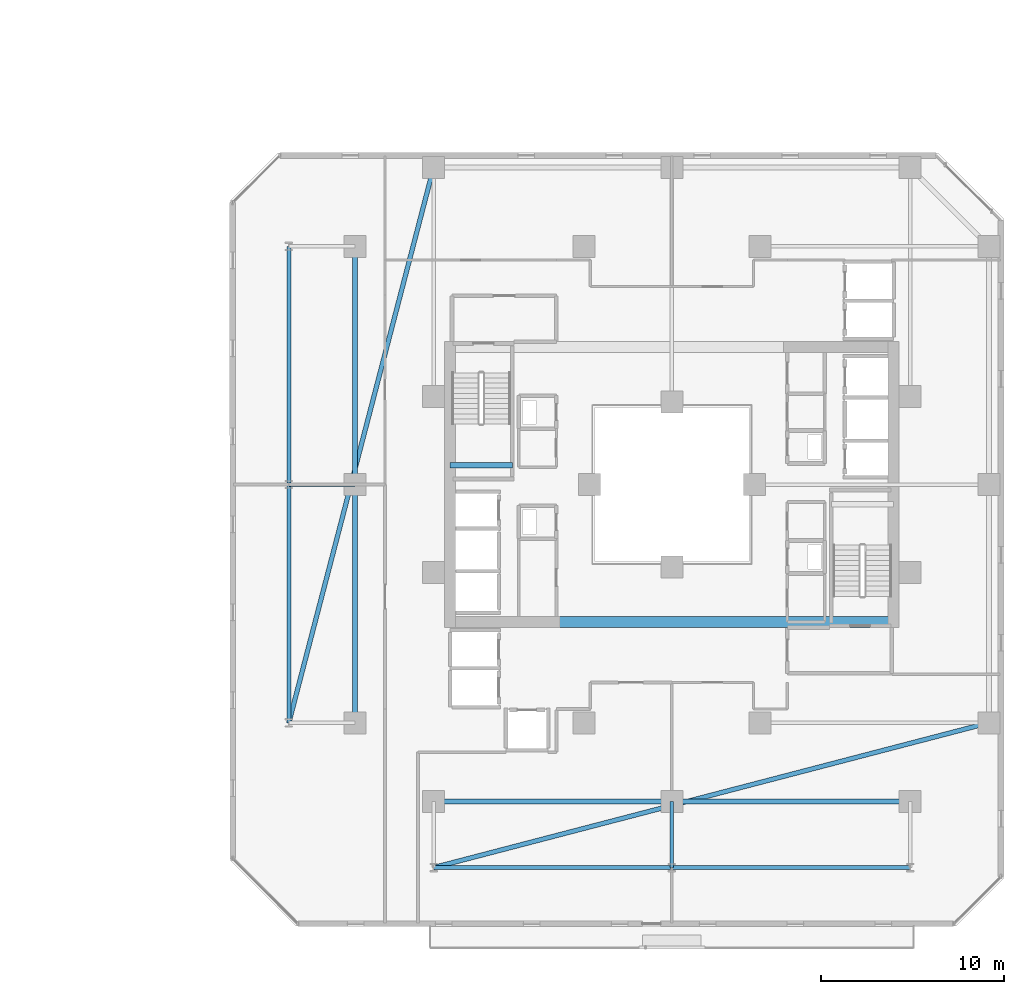
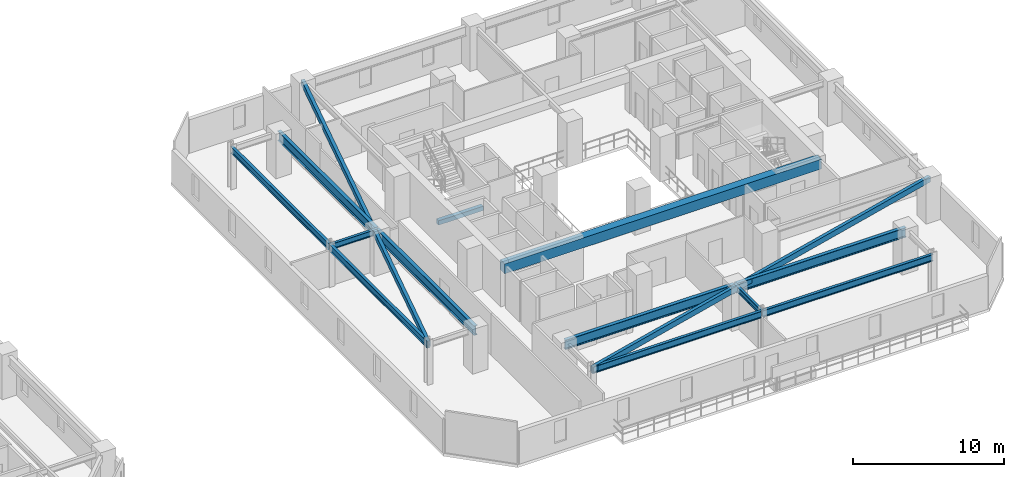
# One storey, part 12 of 33: 14 beams.
"""IFC4 building model written with IfcOpenShell, lengths in metres."""

from ifc_helpers import new_model, si_unit, direction, frame, origin, origin_2d, place, context, subcontext, project, spatial, rectangle, hollow_rectangle, i_section, extrude, material, material_profile, profile_set, type_object, element, save


model = new_model("IFC4")

# Units and contexts
model_context = context("Model", 3, precision=1e-05, world=origin(), true_north=direction((0.0, 1.0)))
body_context = subcontext(model_context, "Body", "Model", "MODEL_VIEW")
ifc_project = project(units=[si_unit("LENGTHUNIT", "METRE"), si_unit("AREAUNIT", "SQUARE_METRE"), si_unit("VOLUMEUNIT", "CUBIC_METRE"), si_unit("PLANEANGLEUNIT", "RADIAN"), si_unit("MASSUNIT", "GRAM", prefix="KILO")], contexts=[model_context])

# Site, building, storey
site_placement = place(None, origin())
site = spatial("IfcSite", under=ifc_project, at=site_placement, CompositionType="ELEMENT")
building_placement = place(site_placement, origin())
building = spatial("IfcBuilding", under=site, at=building_placement, Name="Thornwick Lancets Civic Towers", CompositionType="ELEMENT")
storey_placement = place(building_placement, frame((0.0, 0.0, 105.300048828125)))
storey = spatial("IfcBuildingStorey", under=building, at=storey_placement, Name="L27", CompositionType="ELEMENT", Elevation=105.300048828125)

# Beams
ifc_material_1 = material(Name="Concrete C60/75", Category="concrete")
ifc_material_profile_1 = material_profile(ifc_material_1, rectangle(XDim=0.60009765625, YDim=0.800048828125, at=origin_2d()), Name="RC 600x800")
ifc_profile_set_1 = profile_set([ifc_material_profile_1], Name="Concrete C60/75")
beam_type_1 = type_object("IfcBeamType", Name="BM_COUP_RC800", PredefinedType="BEAM", material=ifc_profile_set_1)
beam_1_placement = place(storey_placement, frame((76.39990234375, 19.5, 2.9599609375), z_axis=(1.0, 0.0, 0.0), x_axis=(0.0, 1.0, 0.0)))
element("IfcBeam", 1, at=beam_1_placement, inside=storey, type_object=beam_type_1, Name="CB-L27-B2", PredefinedType="BEAM", context=body_context, shape_type="SweptSolid", body=[
    extrude(rectangle(XDim=0.60009765625, YDim=0.800048828125, at=origin_2d()), origin(), (0.0, 0.0, 1.0), 24.2001953125),
])
ifc_material_2 = material(Name="Steel S355JR", Category="steel")
ifc_material_profile_2 = material_profile(ifc_material_2, i_section(OverallWidth=0.2119140625, OverallDepth=0.54443359375, WebThickness=0.0126953125, FlangeThickness=0.021240234375, FilletRadius=0.0126953125, at=origin_2d()), Name="UKB 533x210x122")
ifc_profile_set_2 = profile_set([ifc_material_profile_2], Name="Steel S355JR")
beam_type_2 = type_object("IfcBeamType", Name="BM_EDGE_533_122", PredefinedType="SPANDREL", material=ifc_profile_set_2)
beam_2_placement = place(storey_placement, frame((67.60009765625, 14.0, 3.087646484375), z_axis=(0.0, 1.0, 0.0), x_axis=(-1.0, 0.0, 0.0)))
element("IfcBeam", 2, at=beam_2_placement, inside=storey, type_object=beam_type_2, Name="BM-EDGE-L27-B-S2-1", PredefinedType="SPANDREL", context=body_context, shape_type="SweptSolid", body=[
    extrude(i_section(OverallWidth=0.2119140625, OverallDepth=0.54443359375, WebThickness=0.0126953125, FlangeThickness=0.021240234375, FilletRadius=0.0126953125, at=origin_2d()), origin(), (0.0, 0.0, 1.0), 13.0),
])
beam_3_placement = place(storey_placement, frame((67.60009765625, 27.080078125, 3.087646484375), z_axis=(0.0, 1.0, 0.0), x_axis=(-1.0, 0.0, 0.0)))
element("IfcBeam", 3, at=beam_3_placement, inside=storey, type_object=beam_type_2, Name="BM-EDGE-L27-B-S2-2", PredefinedType="SPANDREL", context=body_context, shape_type="SweptSolid", body=[
    extrude(i_section(OverallWidth=0.2119140625, OverallDepth=0.54443359375, WebThickness=0.0126953125, FlangeThickness=0.021240234375, FilletRadius=0.0126953125, at=origin_2d()), origin(), (0.0, 0.0, 1.0), 12.919921875),
])
beam_4_placement = place(storey_placement, frame((101.5, 6.10009765625, 3.087646484375), z_axis=(-1.0, 0.0, 0.0), x_axis=(0.0, -1.0, 0.0)))
element("IfcBeam", 4, at=beam_4_placement, inside=storey, type_object=beam_type_2, Name="BM-EDGE-L27-B-S3-1", PredefinedType="SPANDREL", context=body_context, shape_type="SweptSolid", body=[
    extrude(i_section(OverallWidth=0.2119140625, OverallDepth=0.54443359375, WebThickness=0.0126953125, FlangeThickness=0.021240234375, FilletRadius=0.0126953125, at=origin_2d()), origin(), (0.0, 0.0, 1.0), 13.0),
])
beam_5_placement = place(storey_placement, frame((88.419921875, 6.10009765625, 3.087646484375), z_axis=(-1.0, 0.0, 0.0), x_axis=(0.0, -1.0, 0.0)))
element("IfcBeam", 5, at=beam_5_placement, inside=storey, type_object=beam_type_2, Name="BM-EDGE-L27-B-S3-2", PredefinedType="SPANDREL", context=body_context, shape_type="SweptSolid", body=[
    extrude(i_section(OverallWidth=0.2119140625, OverallDepth=0.54443359375, WebThickness=0.0126953125, FlangeThickness=0.021240234375, FilletRadius=0.0126953125, at=origin_2d()), origin(), (0.0, 0.0, 1.0), 12.919921875),
])
ifc_material_profile_3 = material_profile(ifc_material_2, i_section(OverallWidth=0.26806640625, OverallDepth=0.769775390625, WebThickness=0.015625, FlangeThickness=0.025390625, FilletRadius=0.0166015625, at=origin_2d()), Name="UKB 762x267x197")
ifc_profile_set_3 = profile_set([ifc_material_profile_3], Name="Steel S355JR")
beam_type_3 = type_object("IfcBeamType", Name="BM_GIRD_762_197", PredefinedType="BEAM", material=ifc_profile_set_3)
beam_6_placement = place(storey_placement, frame((71.199951171875, 14.0, 2.97509765625), z_axis=(0.0, 1.0, 0.0), x_axis=(-1.0, 0.0, 0.0)))
element("IfcBeam", 6, at=beam_6_placement, inside=storey, type_object=beam_type_3, Name="BM-SPINE-L27-B-6-7", PredefinedType="BEAM", context=body_context, shape_type="SweptSolid", body=[
    extrude(i_section(OverallWidth=0.26806640625, OverallDepth=0.769775390625, WebThickness=0.015625, FlangeThickness=0.025390625, FilletRadius=0.0166015625, at=origin_2d()), origin(), (0.0, 0.0, 1.0), 13.0),
])
beam_7_placement = place(storey_placement, frame((71.199951171875, 27.080078125, 2.97509765625), z_axis=(0.0, 1.0, 0.0), x_axis=(-1.0, 0.0, 0.0)))
element("IfcBeam", 7, at=beam_7_placement, inside=storey, type_object=beam_type_3, Name="BM-SPINE-L27-B-7-8", PredefinedType="BEAM", context=body_context, shape_type="SweptSolid", body=[
    extrude(i_section(OverallWidth=0.26806640625, OverallDepth=0.769775390625, WebThickness=0.015625, FlangeThickness=0.025390625, FilletRadius=0.0166015625, at=origin_2d()), origin(), (0.0, 0.0, 1.0), 12.919921875),
])
beam_8_placement = place(storey_placement, frame((101.5, 9.699951171875, 2.97509765625), z_axis=(-1.0, 0.0, 0.0), x_axis=(0.0, -1.0, 0.0)))
element("IfcBeam", 8, at=beam_8_placement, inside=storey, type_object=beam_type_3, Name="BM-SPINE-L27-B-9-10", PredefinedType="BEAM", context=body_context, shape_type="SweptSolid", body=[
    extrude(i_section(OverallWidth=0.26806640625, OverallDepth=0.769775390625, WebThickness=0.015625, FlangeThickness=0.025390625, FilletRadius=0.0166015625, at=origin_2d()), origin(), (0.0, 0.0, 1.0), 13.0),
])
beam_9_placement = place(storey_placement, frame((88.419921875, 9.699951171875, 2.97509765625), z_axis=(-1.0, 0.0, 0.0), x_axis=(0.0, -1.0, 0.0)))
element("IfcBeam", 9, at=beam_9_placement, inside=storey, type_object=beam_type_3, Name="BM-SPINE-L27-B-10-11", PredefinedType="BEAM", context=body_context, shape_type="SweptSolid", body=[
    extrude(i_section(OverallWidth=0.26806640625, OverallDepth=0.769775390625, WebThickness=0.015625, FlangeThickness=0.025390625, FilletRadius=0.0166015625, at=origin_2d()), origin(), (0.0, 0.0, 1.0), 12.919921875),
])
ifc_material_profile_4 = material_profile(ifc_material_2, i_section(OverallWidth=0.19287109375, OverallDepth=0.46728515625, WebThickness=0.011474609375, FlangeThickness=0.01953125, FilletRadius=0.01025390625, at=origin_2d()), Name="UKB 457x191x98")
ifc_profile_set_4 = profile_set([ifc_material_profile_4], Name="Steel S355JR")
beam_type_4 = type_object("IfcBeamType", Name="BM_JOIST_457_98", PredefinedType="JOIST", material=ifc_profile_set_4)
for number, where, z_axis, x_axis, name in (
    (10, (71.199951171875, 27.0, 3.12646484375), (-1.0, 0.0, 0.0), (0.0, -1.0, 0.0), "BM-RAD-L27-B08"),
    (11, (88.5, 9.699951171875, 3.12646484375), (0.0, -1.0, 0.0), (1.0, 0.0, 0.0), "BM-RAD-L27-B11"),
):
    element("IfcBeam", number, at=place(storey_placement, frame(where, z_axis=z_axis, x_axis=x_axis)), inside=storey, type_object=beam_type_4, Name=name, PredefinedType="JOIST", context=body_context, shape_type="SweptSolid", body=[
        extrude(i_section(OverallWidth=0.19287109375, OverallDepth=0.46728515625, WebThickness=0.011474609375, FlangeThickness=0.01953125, FilletRadius=0.01025390625, at=origin_2d()), origin(), (0.0, 0.0, 1.0), 3.599853515625),
    ])
ifc_material_profile_5 = material_profile(ifc_material_2, hollow_rectangle(XDim=0.25, YDim=0.449951171875, WallThickness=0.01611328125, at=origin_2d()), Name="RHS 450x250x16")
ifc_profile_set_5 = profile_set([ifc_material_profile_5], Name="Steel S355JR")
beam_type_5 = type_object("IfcBeamType", Name="BM_RING_RHS450", PredefinedType="BEAM", material=ifc_profile_set_5)
for number, where, z_axis, x_axis, name in (
    (12, (75.5, 44.300048828125, 3.135009765625), (-0.252288590311, -0.967652038286, 0.0), (0.967652038286, -0.252288590311, 0.0), "BM-CHAMF-L27-B-C1"),
    (13, (75.5, 6.10009765625, 3.135009765625), (0.967652038286, 0.252288590311, 0.0), (-0.252288590311, 0.967652038286, 0.0), "BM-CHAMF-L27-B-C3"),
):
    element("IfcBeam", number, at=place(storey_placement, frame(where, z_axis=z_axis, x_axis=x_axis)), inside=storey, type_object=beam_type_5, Name=name, PredefinedType="BEAM", context=body_context, shape_type="SweptSolid", body=[
        extrude(hollow_rectangle(XDim=0.25, YDim=0.449951171875, WallThickness=0.01611328125, at=origin_2d()), origin(), (0.0, 0.0, 1.0), 31.31298828125),
    ])
ifc_material_3 = material(Name="Concrete C40/50", Category="concrete")
ifc_material_profile_6 = material_profile(ifc_material_3, rectangle(XDim=0.300048828125, YDim=0.35009765625, at=origin_2d()), Name="RC 300x350")
ifc_profile_set_6 = profile_set([ifc_material_profile_6], Name="Concrete C40/50")
beam_type_6 = type_object("IfcBeamType", Name="BM_STAIR_LDG", PredefinedType="BEAM", material=ifc_profile_set_6)
beam_10_placement = place(storey_placement, frame((76.39990234375, 28.06494140625, 1.3779296875), z_axis=(1.0, 0.0, 0.0), x_axis=(0.0, 1.0, 0.0)))
element("IfcBeam", 14, at=beam_10_placement, inside=storey, type_object=beam_type_6, Name="L27 ST-B2 Landing Support Beam 1", PredefinedType="BEAM", context=body_context, shape_type="SweptSolid", body=[
    extrude(rectangle(XDim=0.300048828125, YDim=0.35009765625, at=origin_2d()), origin(), (0.0, 0.0, 1.0), 3.400146484375),
])

save(model, "model.ifc")
